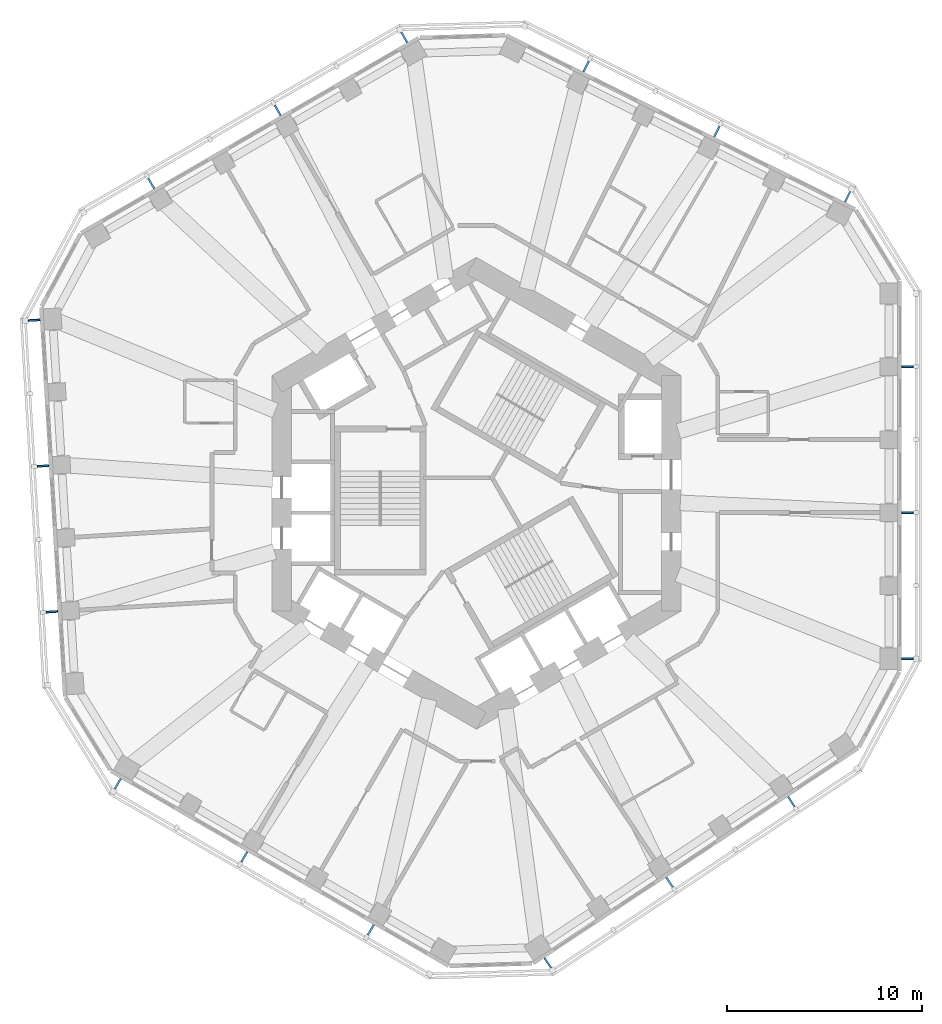
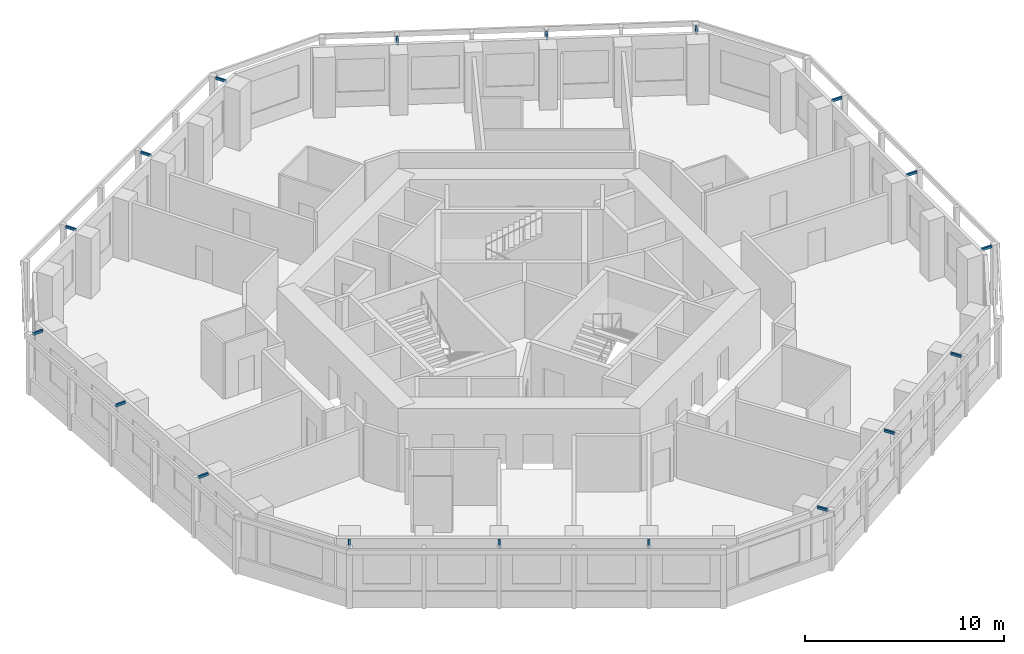
# One storey, part 10 of 11: 18 discrete accessories.
"""IFC4 building model written with IfcOpenShell, lengths in metres."""

import ifcopenshell
import ifcopenshell.guid

model = None  # the IFC model being written
_history = None  # IfcOwnerHistory: only IFC2X3 demands one
_inside = {}  # id of a spatial element -> (the spatial element, [elements in it])
_under = {}  # id of a project, library or spatial element -> (it, [spatial elements below it])
_declared = {}  # id of a project -> (the project, [libraries it declares])
_typed = {}  # id of a type object -> (the type object, [elements of that type])
_made_of = {}  # id of a material, layer set ... -> (it, [elements and type objects made of it])


def new_model(schema):
    """Start an empty IFC model of exactly this schema.

    Asked for "IFC4X3", IfcOpenShell would pick the latest addendum, in which some entities
    have other attributes; the version numbers below select the first issue.
    IFC2X3 requires an IfcOwnerHistory on every rooted entity: one is made here for all.
    """
    global model, _history
    if schema == "IFC4X3":
        model = ifcopenshell.file(schema_version=(4, 3, 0, 0))
    else:
        model = ifcopenshell.file(schema=schema)
    _inside.clear()
    _under.clear()
    _declared.clear()
    _typed.clear()
    _made_of.clear()
    _history = None
    if model.schema == "IFC2X3":
        org = make("IfcOrganization", Name="unknown")
        user = make(
            "IfcPersonAndOrganization",
            ThePerson=make("IfcPerson", FamilyName="unknown"),
            TheOrganization=org,
        )
        app = make(
            "IfcApplication",
            ApplicationDeveloper=org,
            Version="unknown",
            ApplicationFullName="unknown",
            ApplicationIdentifier="unknown",
        )
        _history = make(
            "IfcOwnerHistory",
            OwningUser=user,
            OwningApplication=app,
            ChangeAction="ADDED",
            CreationDate=0,
        )
    return model


def make(cls, **values):
    """One entity of the class cls with the attributes given. An attribute that is None is left unset."""
    return model.create_entity(
        cls, **{name: value for name, value in values.items() if value is not None}
    )


def rooted(cls, **values):
    """An entity with a GlobalId (a new one), such as an element, a storey or a relation."""
    return make(cls, GlobalId=ifcopenshell.guid.new(), OwnerHistory=_history, **values)


def si_unit(unit_type, name, prefix=None):
    """IfcSIUnit, for example si_unit("LENGTHUNIT", "METRE", prefix="MILLI")."""
    return make("IfcSIUnit", UnitType=unit_type, Prefix=prefix, Name=name)


def assignment(units):
    """IfcUnitAssignment: the units of a project."""
    return None if units is None else make("IfcUnitAssignment", Units=units)


def point(xyz):
    """IfcCartesianPoint."""
    return None if xyz is None else make("IfcCartesianPoint", Coordinates=xyz)


def direction(xyz):
    """IfcDirection."""
    return None if xyz is None else make("IfcDirection", DirectionRatios=xyz)


def frame(location, z_axis=None, x_axis=None):
    """IfcAxis2Placement3D, a coordinate frame: its origin and axes. An axis left out is left unset."""
    return make(
        "IfcAxis2Placement3D",
        Location=point(location),
        Axis=direction(z_axis),
        RefDirection=direction(x_axis),
    )


def frame_2d(location, x_axis=None):
    """IfcAxis2Placement2D, a coordinate frame in the plane: its origin and x axis."""
    return make(
        "IfcAxis2Placement2D", Location=point(location), RefDirection=direction(x_axis)
    )


def origin():
    """The frame at (0, 0, 0) with its axes left unset."""
    return frame((0.0, 0.0, 0.0))


def origin_2d():
    """The frame at (0, 0) in the plane with its x axis left unset."""
    return frame_2d((0.0, 0.0))


def place(relative_to, where):
    """IfcLocalPlacement: puts the frame where relative to a parent placement (None: the world)."""
    return make(
        "IfcLocalPlacement", PlacementRelTo=relative_to, RelativePlacement=where
    )


def context(
    kind, dimensions, precision=None, world=None, true_north=None, identifier=None
):
    """IfcGeometricRepresentationContext, for example the 3D "Model" context."""
    return make(
        "IfcGeometricRepresentationContext",
        ContextIdentifier=identifier,
        ContextType=kind,
        CoordinateSpaceDimension=dimensions,
        Precision=precision,
        WorldCoordinateSystem=world,
        TrueNorth=true_north,
    )


def subcontext(parent, identifier, kind, view, scale=None):
    """IfcGeometricRepresentationSubContext, for example "Body" below "Model"."""
    return make(
        "IfcGeometricRepresentationSubContext",
        ContextIdentifier=identifier,
        ContextType=kind,
        ParentContext=parent,
        TargetScale=scale,
        TargetView=view,
    )


def project(units=None, contexts=None):
    """IfcProject with its units and contexts."""
    return rooted(
        "IfcProject",
        Name="project",
        RepresentationContexts=contexts,
        UnitsInContext=assignment(units),
    )


def spatial(cls, under=None, at=None, **own):
    """A site, building, storey or space (cls), placed at a placement, below another one or the project."""
    s = rooted(cls, ObjectPlacement=at, **own)
    if under is not None:
        _under.setdefault(under.id(), (under, []))[1].append(s)
    return s


def profile(cls, at=None, kind="AREA", **sizes):
    """A parametric profile (cls). Its sizes go by their IFC names, for example OverallWidth=200.0."""
    return make(cls, ProfileType=kind, Position=at, **sizes)


def rectangle(**sizes):
    """IfcRectangleProfileDef."""
    return profile("IfcRectangleProfileDef", **sizes)


def extrude(swept, where, along, depth):
    """IfcExtrudedAreaSolid: the profile swept, set in the frame where, extruded along a direction by depth."""
    return make(
        "IfcExtrudedAreaSolid",
        SweptArea=swept,
        Position=where,
        ExtrudedDirection=direction(along),
        Depth=depth,
    )


def shape(context_of_items, identifier, shape_type, items):
    """IfcShapeRepresentation: the items that make up one representation, for example the "Body"."""
    return make(
        "IfcShapeRepresentation",
        ContextOfItems=context_of_items,
        RepresentationIdentifier=identifier,
        RepresentationType=shape_type,
        Items=items,
    )


def material(Name=None, Category=None):
    """IfcMaterial."""
    return make("IfcMaterial", Name=Name, Category=Category)


def made_of(thing, what):
    """Note that an element or type object is made of a material, layer set ...; save() writes the relation."""
    if what is not None:
        _made_of.setdefault(what.id(), (what, []))[1].append(thing)
    return thing


def type_object(cls, material=None, **own):
    """A type object (cls), such as IfcWallType, which elements share."""
    return made_of(rooted(cls, **own), material)


def element(
    cls,
    number,
    at=None,
    inside=None,
    cuts=None,
    type_object=None,
    material=None,
    context=None,
    identifier="Body",
    shape_type=None,
    held_by="IfcProductDefinitionShape",
    body=None,
    shapes=None,
    **own,
):
    """One element of the class cls, such as IfcWall. Its Tag is "e" and its number.

    at: its placement. inside: the storey or other place that contains it. cuts: it is an
    opening in that element (IfcRelVoidsElement). A single representation is given by context,
    identifier, shape_type and body (its items); several are given by shapes. held_by: the class
    of the entity that holds the representations. save() writes the other relations.
    """
    e = rooted(cls, Tag="e%d" % number, ObjectPlacement=at, **own)
    if body is not None:
        shapes = [shape(context, identifier, shape_type, body)]
    if shapes is not None:
        e.Representation = make(held_by, Representations=shapes)
    if inside is not None:
        _inside.setdefault(inside.id(), (inside, []))[1].append(e)
    if cuts is not None:
        rooted(
            "IfcRelVoidsElement", RelatingBuildingElement=cuts, RelatedOpeningElement=e
        )
    if type_object is not None:
        _typed.setdefault(type_object.id(), (type_object, []))[1].append(e)
    return made_of(e, material)


def aggregate(whole, parts):
    """IfcRelAggregates: a whole, such as a stair, and the parts it consists of."""
    return rooted("IfcRelAggregates", RelatingObject=whole, RelatedObjects=parts)


def save(model, path):
    """Write the relations noted so far, then the file.

    IfcRelAggregates (storeys below a building ...), IfcRelContainedInSpatialStructure (elements
    in a storey), IfcRelDefinesByType, IfcRelAssociatesMaterial and IfcRelDeclares: one each for
    every whole, place, type object, material and project.
    """
    for whole, parts in _under.values():
        aggregate(whole, parts)
    for where, things in _inside.values():
        rooted(
            "IfcRelContainedInSpatialStructure",
            RelatedElements=things,
            RelatingStructure=where,
        )
    for kind, things in _typed.values():
        rooted("IfcRelDefinesByType", RelatedObjects=things, RelatingType=kind)
    for what, things in _made_of.values():
        rooted("IfcRelAssociatesMaterial", RelatedObjects=things, RelatingMaterial=what)
    for by, libraries in _declared.values():
        rooted("IfcRelDeclares", RelatingContext=by, RelatedDefinitions=libraries)
    model.write(path)


model = new_model("IFC4")

# Units and contexts
model_context = context("Model", 3, precision=1e-05, world=origin(), true_north=direction((0.0, 1.0)))
body_context = subcontext(model_context, "Body", "Model", "MODEL_VIEW")
ifc_project = project(units=[si_unit("LENGTHUNIT", "METRE"), si_unit("AREAUNIT", "SQUARE_METRE"), si_unit("VOLUMEUNIT", "CUBIC_METRE"), si_unit("PLANEANGLEUNIT", "RADIAN"), si_unit("MASSUNIT", "GRAM", prefix="KILO")], contexts=[model_context])

# Site, building, storey
site_placement = place(None, origin())
site = spatial("IfcSite", under=ifc_project, at=site_placement, CompositionType="ELEMENT")
building_placement = place(site_placement, origin())
building = spatial("IfcBuilding", under=site, at=building_placement, Name="Vanh Sen Convention Tower", CompositionType="ELEMENT")
storey_placement = place(building_placement, frame((0.0, 0.0, 179.89990234375)))
storey = spatial("IfcBuildingStorey", under=building, at=storey_placement, Name="L44", CompositionType="ELEMENT", Elevation=179.89990234375)

# Discrete accessories
ifc_material = material(Name="Steel S355", Category="steel")
discrete_accessory_type = type_object("IfcDiscreteAccessoryType", Name="Fin bracket 100 x 150", PredefinedType="BRACKET", material=ifc_material)
for number, where, z_axis, x_axis, name in (
    (1, (22.14990234375, -8.5009765625, 3.500244140625), (0.0, 0.0, 1.0), (1.0, 0.0, 0.0), "Fin bracket E-1 L44"),
    (2, (22.14990234375, -0.992919921875, 3.500244140625), (0.0, 0.0, 1.0), (1.0, 0.0, 0.0), "Fin bracket E-3 L44"),
    (3, (22.14990234375, 6.515380859375, 3.500244140625), (0.0, 0.0, 1.0), (1.0, 0.0, 0.0), "Fin bracket E-5 L44"),
    (4, (19.073974609375, 15.240478515625, 3.500244140625), (0.0, 0.0, 1.0), (0.44619781311, 0.894934361602, 0.0), "Fin bracket NE-1 L44"),
    (5, (12.3544921875, 18.5908203125, 3.500244140625), (0.0, 0.0, 1.0), (0.44619781311, 0.894934361602, 0.0), "Fin bracket NE-3 L44"),
    (6, (5.635009765625, 21.94091796875, 3.500244140625), (0.0, 0.0, 1.0), (0.44619781311, 0.894934361602, 0.0), "Fin bracket NE-5 L44"),
    (7, (-3.712890625, 23.432861328125, 3.500244140625), (0.0, 0.0, 1.0), (-0.5, 0.866025403784, 0.0), "Fin bracket NW-1 L44"),
    (8, (-10.215087890625, 19.6787109375, 3.500244140625), (0.0, 0.0, 1.0), (-0.5, 0.866025403784, 0.0), "Fin bracket NW-3 L44"),
    (9, (-16.717529296875, 15.9248046875, 3.500244140625), (0.0, 0.0, 1.0), (-0.5, 0.866025403784, 0.0), "Fin bracket NW-5 L44"),
    (10, (-22.735595703125, 8.898193359375, 3.500244140625), (0.0, 0.0, 1.0), (-0.998134798422, -0.061048539535, 0.0), "Fin bracket W-1 L44"),
    (11, (-22.277099609375, 1.40380859375, 3.500244140625), (0.0, 0.0, 1.0), (-0.998134798422, -0.061048539535, 0.0), "Fin bracket W-3 L44"),
    (12, (-21.81884765625, -6.09033203125, 3.500244140625), (0.0, 0.0, 1.0), (-0.998134798422, -0.061048539535, 0.0), "Fin bracket W-5 L44"),
    (13, (-18.43701171875, -14.931884765625, 3.500244140625), (0.0, 0.0, 1.0), (-0.5, -0.866025403784, 0.0), "Fin bracket SW-1 L44"),
    (14, (-11.934814453125, -18.68603515625, 3.500244140625), (0.0, 0.0, 1.0), (-0.5, -0.866025403784, 0.0), "Fin bracket SW-3 L44"),
    (15, (-5.4326171875, -22.440185546875, 3.500244140625), (0.0, 0.0, 1.0), (-0.5, -0.866025403784, 0.0), "Fin bracket SW-5 L44"),
    (16, (3.66162109375, -24.138671875, 3.500244140625), (0.0, 0.0, 1.0), (0.551936985312, -0.833885822067, 0.0), "Fin bracket SE-1 L44"),
    (17, (9.922607421875, -19.99462890625, 3.500244140625), (0.0, 0.0, 1.0), (0.551936985312, -0.833885822067, 0.0), "Fin bracket SE-3 L44"),
    (18, (16.18359375, -15.8505859375, 3.500244140625), (0.0, 0.0, 1.0), (0.551936985312, -0.833885822067, 0.0), "Fin bracket SE-5 L44"),
):
    element("IfcDiscreteAccessory", number, at=place(storey_placement, frame(where, z_axis=z_axis, x_axis=x_axis)), inside=storey, type_object=discrete_accessory_type, Name=name, PredefinedType="BRACKET", context=body_context, shape_type="SweptSolid", body=[
        extrude(rectangle(XDim=0.60009765625, YDim=0.10009765625, at=origin_2d()), origin(), (0.0, 0.0, 1.0), 0.14990234375),
    ])

save(model, "model.ifc")
